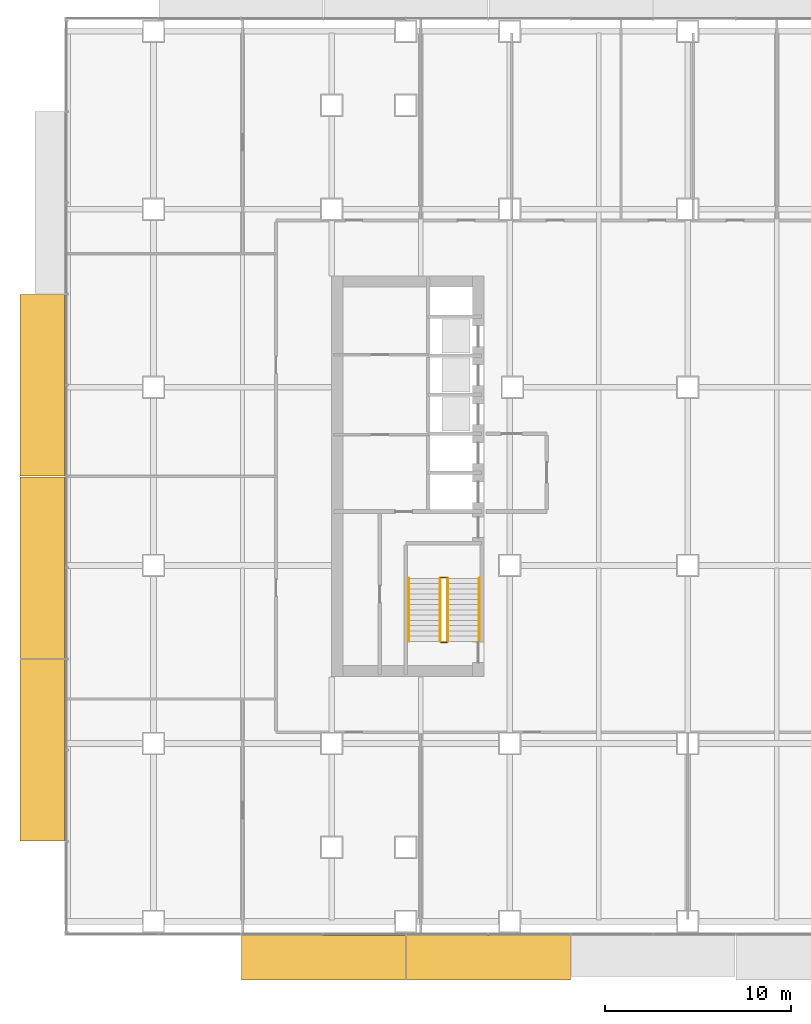
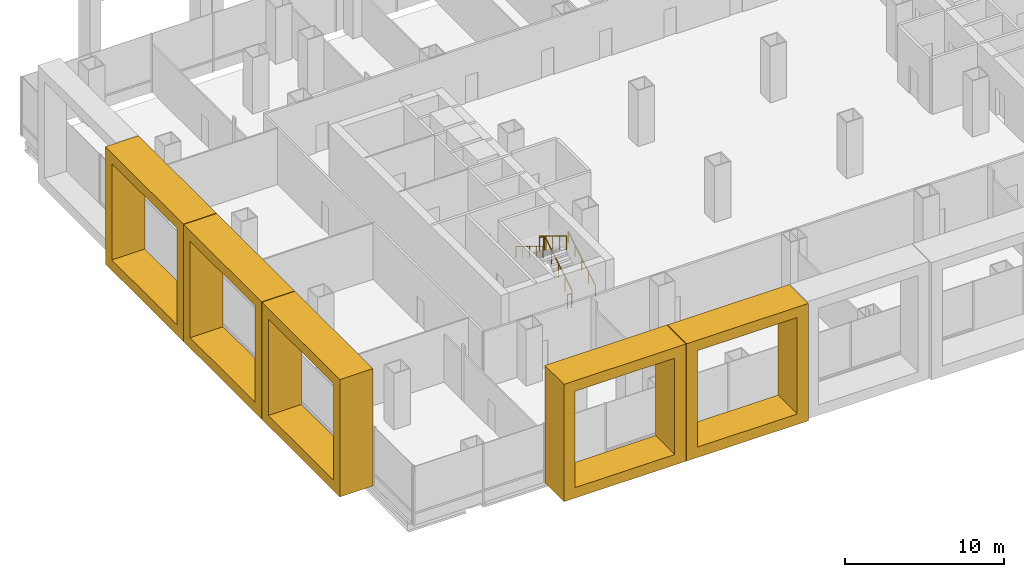
# One storey, part 20 of 23: 6 railings, 5 coverings.
"""IFC4 building model written with IfcOpenShell, lengths in metres."""

from ifc_helpers import new_model, si_unit, direction, frame, origin, origin_2d, place, context, subcontext, project, spatial, polyline, circle, outline, extrude, material, type_object, element, save


model = new_model("IFC4")

# Units and contexts
model_context = context("Model", 3, precision=1e-05, world=origin(), true_north=direction((0.0, 1.0)))
body_context = subcontext(model_context, "Body", "Model", "MODEL_VIEW")
ifc_project = project(units=[si_unit("LENGTHUNIT", "METRE"), si_unit("AREAUNIT", "SQUARE_METRE"), si_unit("VOLUMEUNIT", "CUBIC_METRE"), si_unit("PLANEANGLEUNIT", "RADIAN"), si_unit("MASSUNIT", "GRAM", prefix="KILO")], contexts=[model_context])

# Site, building, storey
site_placement = place(None, origin())
site = spatial("IfcSite", under=ifc_project, at=site_placement, CompositionType="ELEMENT")
building_placement = place(site_placement, origin())
building = spatial("IfcBuilding", under=site, at=building_placement, Name="Cobrizo Arcos Hotel Tower", CompositionType="ELEMENT")
storey_placement = place(building_placement, frame((0.0, 0.0, 15.5)))
storey = spatial("IfcBuildingStorey", under=building, at=storey_placement, Name="L02", CompositionType="ELEMENT", Elevation=15.5)

# Coverings
ifc_material_1 = material(Name="Aluminium 6063-T6 anodised bronze", Category="aluminium")
covering_type = type_object("IfcCoveringType", Name="FIN-F 2400", PredefinedType="CLADDING", material=ifc_material_1)
for number, where, z_axis, x_axis, name in (
    (1, (-28.864013671875, -24.75, 0.0), (0.0, -1.0, 0.0), (1.0, 0.0, 0.0), "Fin frame 491"),
    (2, (-19.97509765625, -24.75, 0.0), (0.0, -1.0, 0.0), (1.0, 0.0, 0.0), "Fin frame 492"),
):
    element("IfcCovering", number, at=place(storey_placement, frame(where, z_axis=z_axis, x_axis=x_axis)), inside=storey, type_object=covering_type, Name=name, PredefinedType="CLADDING", context=body_context, shape_type="SweptSolid", body=[
        extrude(outline(polyline([(0.0, 9.0), (0.0, 0.0), (8.8388671875, 0.0), (8.8388671875, 9.0), (0.0, 9.0)]), holes=[polyline([(8.038818359375, 0.800048828125), (0.800048828125, 0.800048828125), (0.800048828125, 8.199951171875), (8.038818359375, 8.199951171875), (8.038818359375, 0.800048828125)])]), origin(), (0.0, 0.0, 1.0), 2.39990234375),
    ])
for number, where, z_axis, x_axis, name in (
    (3, (-38.39990234375, 9.81494140625, 0.0), (-1.0, 0.0, 0.0), (0.0, -1.0, 0.0), "Fin frame 506"),
    (4, (-38.39990234375, -0.02490234375, 0.0), (-1.0, 0.0, 0.0), (0.0, -1.0, 0.0), "Fin frame 507"),
    (5, (-38.39990234375, -9.864990234375, 0.0), (-1.0, 0.0, 0.0), (0.0, -1.0, 0.0), "Fin frame 508"),
):
    element("IfcCovering", number, at=place(storey_placement, frame(where, z_axis=z_axis, x_axis=x_axis)), inside=storey, type_object=covering_type, Name=name, PredefinedType="CLADDING", context=body_context, shape_type="SweptSolid", body=[
        extrude(outline(polyline([(0.0, 9.0), (0.0, 0.0), (9.7900390625, 0.0), (9.7900390625, 9.0), (0.0, 9.0)]), holes=[polyline([(8.989990234375, 0.800048828125), (0.800048828125, 0.800048828125), (0.800048828125, 8.199951171875), (8.989990234375, 8.199951171875), (8.989990234375, 0.800048828125)])]), origin(), (0.0, 0.0, 1.0), 2.400146484375),
    ])

# Railings
ifc_material_2 = material(Name="Stainless steel railing", Category="steel")
railing_type_1 = type_object("IfcRailingType", Name="Stair guard 1100", PredefinedType="GUARDRAIL", material=ifc_material_2)
railing_1_placement = place(storey_placement, frame((-17.75, -8.89990234375, 0.173095703125)))
element("IfcRailing", 6, at=railing_1_placement, inside=storey, type_object=railing_type_1, Name="L02 ST-W stair guard 1", PredefinedType="GUARDRAIL", context=body_context, shape_type="SweptSolid", body=[
    extrude(circle(Radius=0.02392578125, at=origin_2d()), frame((0.0, 0.0, 1.076171875), z_axis=(0.0, 0.853372706543, 0.52130127923), x_axis=(-1.0, 0.0, 0.0)), (0.0, 0.0, 1.0), 3.984130859375),
    extrude(circle(Radius=0.02099609375, at=origin_2d()), origin(), (0.0, 0.0, 1.0), 1.052001953125),
    extrude(circle(Radius=0.02099609375, at=origin_2d()), frame((0.0, 0.85009765625, 0.519287109375)), (0.0, 0.0, 1.0), 1.052001953125),
    extrude(circle(Radius=0.02099609375, at=origin_2d()), frame((0.0, 1.699951171875, 1.03857421875)), (0.0, 0.0, 1.0), 1.052001953125),
    extrude(circle(Radius=0.02099609375, at=origin_2d()), frame((0.0, 2.5498046875, 1.5576171875)), (0.0, 0.0, 1.0), 1.052001953125),
    extrude(circle(Radius=0.02099609375, at=origin_2d()), frame((0.0, 3.39990234375, 2.076904296875)), (0.0, 0.0, 1.0), 1.052001953125),
])
railing_2_placement = place(storey_placement, frame((-17.800048828125, -5.449951171875, 2.25)))
element("IfcRailing", 7, at=railing_2_placement, inside=storey, type_object=railing_type_1, Name="L02 ST-W stair guard 2", PredefinedType="GUARDRAIL", context=body_context, shape_type="SweptSolid", body=[
    extrude(circle(Radius=0.02392578125, at=origin_2d()), frame((0.0, 0.0, 1.076171875), z_axis=(-1.0, 0.0, 0.0), x_axis=(0.0, -1.0, 0.0)), (0.0, 0.0, 1.0), 0.300048828125),
    extrude(circle(Radius=0.02099609375, at=origin_2d()), origin(), (0.0, 0.0, 1.0), 1.052001953125),
    extrude(circle(Radius=0.02099609375, at=origin_2d()), frame((-0.300048828125, 0.0, 0.0)), (0.0, 0.0, 1.0), 1.052001953125),
])
railing_3_placement = place(storey_placement, frame((-18.14990234375, -5.5, 2.423095703125)))
element("IfcRailing", 8, at=railing_3_placement, inside=storey, type_object=railing_type_1, Name="L02 ST-W stair guard 3", PredefinedType="GUARDRAIL", context=body_context, shape_type="SweptSolid", body=[
    extrude(circle(Radius=0.02392578125, at=origin_2d()), frame((0.0, 0.0, 1.076171875), z_axis=(0.0, -0.853372706543, 0.52130127923), x_axis=(1.0, 0.0, 0.0)), (0.0, 0.0, 1.0), 3.984130859375),
    extrude(circle(Radius=0.02099609375, at=origin_2d()), origin(), (0.0, 0.0, 1.0), 1.052001953125),
    extrude(circle(Radius=0.02099609375, at=origin_2d()), frame((0.0, -0.85009765625, 0.519287109375)), (0.0, 0.0, 1.0), 1.052001953125),
    extrude(circle(Radius=0.02099609375, at=origin_2d()), frame((0.0, -1.699951171875, 1.03857421875)), (0.0, 0.0, 1.0), 1.052001953125),
    extrude(circle(Radius=0.02099609375, at=origin_2d()), frame((0.0, -2.5498046875, 1.5576171875)), (0.0, 0.0, 1.0), 1.052001953125),
    extrude(circle(Radius=0.02099609375, at=origin_2d()), frame((0.0, -3.39990234375, 2.076904296875)), (0.0, 0.0, 1.0), 1.052001953125),
])
railing_4_placement = place(storey_placement, frame((-17.800048828125, -8.949951171875, 0.0)))
element("IfcRailing", 9, at=railing_4_placement, inside=storey, type_object=railing_type_1, Name="L02 ST-W stair guard 4", PredefinedType="GUARDRAIL", context=body_context, shape_type="SweptSolid", body=[
    extrude(circle(Radius=0.02392578125, at=origin_2d()), frame((0.0, 0.0, 1.076171875), z_axis=(-1.0, 0.0, 0.0), x_axis=(0.0, -1.0, 0.0)), (0.0, 0.0, 1.0), 0.300048828125),
    extrude(circle(Radius=0.02099609375, at=origin_2d()), origin(), (0.0, 0.0, 1.0), 1.052001953125),
    extrude(circle(Radius=0.02099609375, at=origin_2d()), frame((-0.300048828125, 0.0, 0.0)), (0.0, 0.0, 1.0), 1.052001953125),
])
railing_type_2 = type_object("IfcRailingType", Name="Stair handrail", PredefinedType="HANDRAIL", material=ifc_material_2)
railing_5_placement = place(storey_placement, frame((-16.050048828125, -8.89990234375, 0.173095703125)))
element("IfcRailing", 10, at=railing_5_placement, inside=storey, type_object=railing_type_2, Name="L02 ST-W stair handrail 1", PredefinedType="HANDRAIL", context=body_context, shape_type="SweptSolid", body=[
    extrude(circle(Radius=0.02392578125, at=origin_2d()), frame((0.0, 0.0, 0.8759765625), z_axis=(0.0, 0.853372706543, 0.52130127923), x_axis=(-1.0, 0.0, 0.0)), (0.0, 0.0, 1.0), 3.984130859375),
    extrude(circle(Radius=0.02099609375, at=origin_2d()), origin(), (0.0, 0.0, 1.0), 0.851806640625),
    extrude(circle(Radius=0.02099609375, at=origin_2d()), frame((0.0, 0.85009765625, 0.519287109375)), (0.0, 0.0, 1.0), 0.851806640625),
    extrude(circle(Radius=0.02099609375, at=origin_2d()), frame((0.0, 1.699951171875, 1.03857421875)), (0.0, 0.0, 1.0), 0.851806640625),
    extrude(circle(Radius=0.02099609375, at=origin_2d()), frame((0.0, 2.5498046875, 1.5576171875)), (0.0, 0.0, 1.0), 0.851806640625),
    extrude(circle(Radius=0.02099609375, at=origin_2d()), frame((0.0, 3.39990234375, 2.076904296875)), (0.0, 0.0, 1.0), 0.851806640625),
])
railing_6_placement = place(storey_placement, frame((-19.85009765625, -5.5, 2.423095703125)))
element("IfcRailing", 11, at=railing_6_placement, inside=storey, type_object=railing_type_2, Name="L02 ST-W stair handrail 2", PredefinedType="HANDRAIL", context=body_context, shape_type="SweptSolid", body=[
    extrude(circle(Radius=0.02392578125, at=origin_2d()), frame((0.0, 0.0, 0.8759765625), z_axis=(0.0, -0.853372706543, 0.52130127923), x_axis=(1.0, 0.0, 0.0)), (0.0, 0.0, 1.0), 3.984130859375),
    extrude(circle(Radius=0.02099609375, at=origin_2d()), origin(), (0.0, 0.0, 1.0), 0.851806640625),
    extrude(circle(Radius=0.02099609375, at=origin_2d()), frame((0.0, -0.85009765625, 0.519287109375)), (0.0, 0.0, 1.0), 0.851806640625),
    extrude(circle(Radius=0.02099609375, at=origin_2d()), frame((0.0, -1.699951171875, 1.03857421875)), (0.0, 0.0, 1.0), 0.851806640625),
    extrude(circle(Radius=0.02099609375, at=origin_2d()), frame((0.0, -2.5498046875, 1.5576171875)), (0.0, 0.0, 1.0), 0.851806640625),
    extrude(circle(Radius=0.02099609375, at=origin_2d()), frame((0.0, -3.39990234375, 2.076904296875)), (0.0, 0.0, 1.0), 0.851806640625),
])

save(model, "model.ifc")
